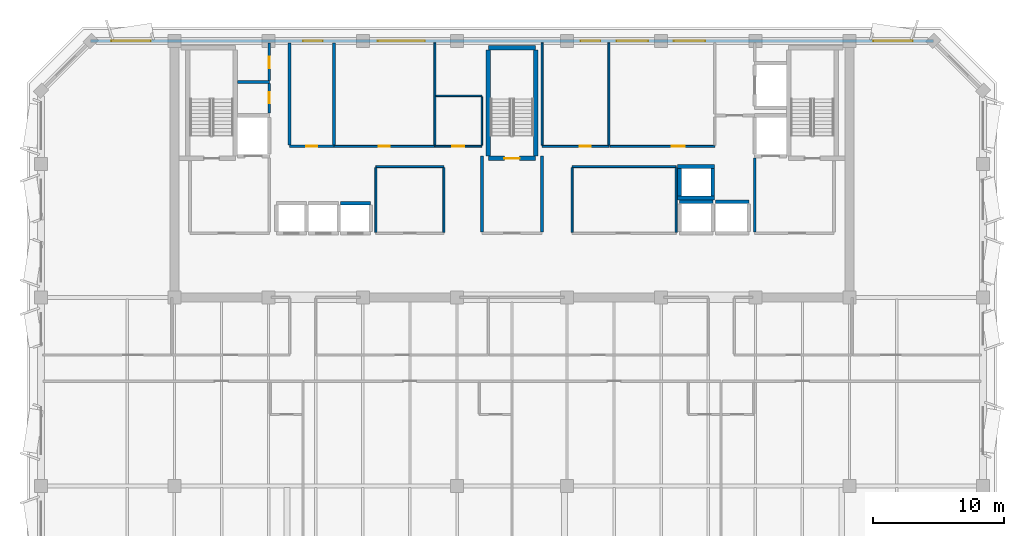
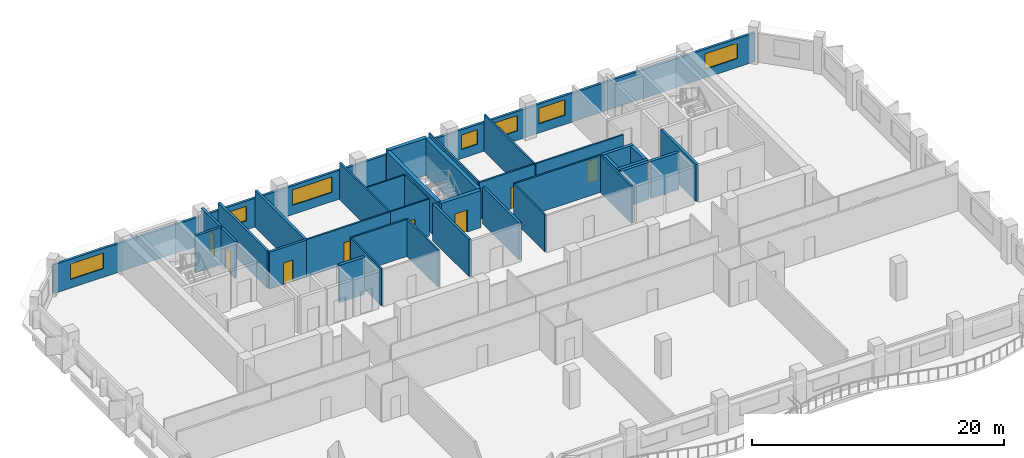
# One storey, part 6 of 11: 36 walls, 8 doors, 7 windows, 15 openings.
"""IFC4 building model written with IfcOpenShell, lengths in metres."""

import ifcopenshell
import ifcopenshell.guid

model = None  # the IFC model being written
_history = None  # IfcOwnerHistory: only IFC2X3 demands one
_inside = {}  # id of a spatial element -> (the spatial element, [elements in it])
_under = {}  # id of a project, library or spatial element -> (it, [spatial elements below it])
_declared = {}  # id of a project -> (the project, [libraries it declares])
_typed = {}  # id of a type object -> (the type object, [elements of that type])
_made_of = {}  # id of a material, layer set ... -> (it, [elements and type objects made of it])


def new_model(schema):
    """Start an empty IFC model of exactly this schema.

    Asked for "IFC4X3", IfcOpenShell would pick the latest addendum, in which some entities
    have other attributes; the version numbers below select the first issue.
    IFC2X3 requires an IfcOwnerHistory on every rooted entity: one is made here for all.
    """
    global model, _history
    if schema == "IFC4X3":
        model = ifcopenshell.file(schema_version=(4, 3, 0, 0))
    else:
        model = ifcopenshell.file(schema=schema)
    _inside.clear()
    _under.clear()
    _declared.clear()
    _typed.clear()
    _made_of.clear()
    _history = None
    if model.schema == "IFC2X3":
        org = make("IfcOrganization", Name="unknown")
        user = make(
            "IfcPersonAndOrganization",
            ThePerson=make("IfcPerson", FamilyName="unknown"),
            TheOrganization=org,
        )
        app = make(
            "IfcApplication",
            ApplicationDeveloper=org,
            Version="unknown",
            ApplicationFullName="unknown",
            ApplicationIdentifier="unknown",
        )
        _history = make(
            "IfcOwnerHistory",
            OwningUser=user,
            OwningApplication=app,
            ChangeAction="ADDED",
            CreationDate=0,
        )
    return model


def make(cls, **values):
    """One entity of the class cls with the attributes given. An attribute that is None is left unset."""
    return model.create_entity(
        cls, **{name: value for name, value in values.items() if value is not None}
    )


def rooted(cls, **values):
    """An entity with a GlobalId (a new one), such as an element, a storey or a relation."""
    return make(cls, GlobalId=ifcopenshell.guid.new(), OwnerHistory=_history, **values)


def si_unit(unit_type, name, prefix=None):
    """IfcSIUnit, for example si_unit("LENGTHUNIT", "METRE", prefix="MILLI")."""
    return make("IfcSIUnit", UnitType=unit_type, Prefix=prefix, Name=name)


def assignment(units):
    """IfcUnitAssignment: the units of a project."""
    return None if units is None else make("IfcUnitAssignment", Units=units)


def point(xyz):
    """IfcCartesianPoint."""
    return None if xyz is None else make("IfcCartesianPoint", Coordinates=xyz)


def direction(xyz):
    """IfcDirection."""
    return None if xyz is None else make("IfcDirection", DirectionRatios=xyz)


def frame(location, z_axis=None, x_axis=None):
    """IfcAxis2Placement3D, a coordinate frame: its origin and axes. An axis left out is left unset."""
    return make(
        "IfcAxis2Placement3D",
        Location=point(location),
        Axis=direction(z_axis),
        RefDirection=direction(x_axis),
    )


def frame_2d(location, x_axis=None):
    """IfcAxis2Placement2D, a coordinate frame in the plane: its origin and x axis."""
    return make(
        "IfcAxis2Placement2D", Location=point(location), RefDirection=direction(x_axis)
    )


def origin():
    """The frame at (0, 0, 0) with its axes left unset."""
    return frame((0.0, 0.0, 0.0))


def place(relative_to, where):
    """IfcLocalPlacement: puts the frame where relative to a parent placement (None: the world)."""
    return make(
        "IfcLocalPlacement", PlacementRelTo=relative_to, RelativePlacement=where
    )


def context(
    kind, dimensions, precision=None, world=None, true_north=None, identifier=None
):
    """IfcGeometricRepresentationContext, for example the 3D "Model" context."""
    return make(
        "IfcGeometricRepresentationContext",
        ContextIdentifier=identifier,
        ContextType=kind,
        CoordinateSpaceDimension=dimensions,
        Precision=precision,
        WorldCoordinateSystem=world,
        TrueNorth=true_north,
    )


def subcontext(parent, identifier, kind, view, scale=None):
    """IfcGeometricRepresentationSubContext, for example "Body" below "Model"."""
    return make(
        "IfcGeometricRepresentationSubContext",
        ContextIdentifier=identifier,
        ContextType=kind,
        ParentContext=parent,
        TargetScale=scale,
        TargetView=view,
    )


def project(units=None, contexts=None):
    """IfcProject with its units and contexts."""
    return rooted(
        "IfcProject",
        Name="project",
        RepresentationContexts=contexts,
        UnitsInContext=assignment(units),
    )


def spatial(cls, under=None, at=None, **own):
    """A site, building, storey or space (cls), placed at a placement, below another one or the project."""
    s = rooted(cls, ObjectPlacement=at, **own)
    if under is not None:
        _under.setdefault(under.id(), (under, []))[1].append(s)
    return s


def profile(cls, at=None, kind="AREA", **sizes):
    """A parametric profile (cls). Its sizes go by their IFC names, for example OverallWidth=200.0."""
    return make(cls, ProfileType=kind, Position=at, **sizes)


def rectangle(**sizes):
    """IfcRectangleProfileDef."""
    return profile("IfcRectangleProfileDef", **sizes)


def extrude(swept, where, along, depth):
    """IfcExtrudedAreaSolid: the profile swept, set in the frame where, extruded along a direction by depth."""
    return make(
        "IfcExtrudedAreaSolid",
        SweptArea=swept,
        Position=where,
        ExtrudedDirection=direction(along),
        Depth=depth,
    )


def shape(context_of_items, identifier, shape_type, items):
    """IfcShapeRepresentation: the items that make up one representation, for example the "Body"."""
    return make(
        "IfcShapeRepresentation",
        ContextOfItems=context_of_items,
        RepresentationIdentifier=identifier,
        RepresentationType=shape_type,
        Items=items,
    )


def material(Name=None, Category=None):
    """IfcMaterial."""
    return make("IfcMaterial", Name=Name, Category=Category)


def layer(
    of_material, thickness, ventilated=None, Name=None, Category=None, Priority=None
):
    """IfcMaterialLayer: one layer of a wall or slab, of a material (None: an air gap)."""
    return make(
        "IfcMaterialLayer",
        Material=of_material,
        LayerThickness=thickness,
        IsVentilated=ventilated,
        Name=Name,
        Category=Category,
        Priority=Priority,
    )


def layer_set(layers, Name=None):
    """IfcMaterialLayerSet."""
    return make("IfcMaterialLayerSet", MaterialLayers=layers, LayerSetName=Name)


def made_of(thing, what):
    """Note that an element or type object is made of a material, layer set ...; save() writes the relation."""
    if what is not None:
        _made_of.setdefault(what.id(), (what, []))[1].append(thing)
    return thing


def type_object(cls, material=None, **own):
    """A type object (cls), such as IfcWallType, which elements share."""
    return made_of(rooted(cls, **own), material)


def element(
    cls,
    number,
    at=None,
    inside=None,
    cuts=None,
    type_object=None,
    material=None,
    context=None,
    identifier="Body",
    shape_type=None,
    held_by="IfcProductDefinitionShape",
    body=None,
    shapes=None,
    **own,
):
    """One element of the class cls, such as IfcWall. Its Tag is "e" and its number.

    at: its placement. inside: the storey or other place that contains it. cuts: it is an
    opening in that element (IfcRelVoidsElement). A single representation is given by context,
    identifier, shape_type and body (its items); several are given by shapes. held_by: the class
    of the entity that holds the representations. save() writes the other relations.
    """
    e = rooted(cls, Tag="e%d" % number, ObjectPlacement=at, **own)
    if body is not None:
        shapes = [shape(context, identifier, shape_type, body)]
    if shapes is not None:
        e.Representation = make(held_by, Representations=shapes)
    if inside is not None:
        _inside.setdefault(inside.id(), (inside, []))[1].append(e)
    if cuts is not None:
        rooted(
            "IfcRelVoidsElement", RelatingBuildingElement=cuts, RelatedOpeningElement=e
        )
    if type_object is not None:
        _typed.setdefault(type_object.id(), (type_object, []))[1].append(e)
    return made_of(e, material)


def fill(opening, filler):
    """IfcRelFillsElement: the door or window that sits in an opening."""
    return rooted(
        "IfcRelFillsElement",
        RelatingOpeningElement=opening,
        RelatedBuildingElement=filler,
    )


def aggregate(whole, parts):
    """IfcRelAggregates: a whole, such as a stair, and the parts it consists of."""
    return rooted("IfcRelAggregates", RelatingObject=whole, RelatedObjects=parts)


def save(model, path):
    """Write the relations noted so far, then the file.

    IfcRelAggregates (storeys below a building ...), IfcRelContainedInSpatialStructure (elements
    in a storey), IfcRelDefinesByType, IfcRelAssociatesMaterial and IfcRelDeclares: one each for
    every whole, place, type object, material and project.
    """
    for whole, parts in _under.values():
        aggregate(whole, parts)
    for where, things in _inside.values():
        rooted(
            "IfcRelContainedInSpatialStructure",
            RelatedElements=things,
            RelatingStructure=where,
        )
    for kind, things in _typed.values():
        rooted("IfcRelDefinesByType", RelatedObjects=things, RelatingType=kind)
    for what, things in _made_of.values():
        rooted("IfcRelAssociatesMaterial", RelatedObjects=things, RelatingMaterial=what)
    for by, libraries in _declared.values():
        rooted("IfcRelDeclares", RelatingContext=by, RelatedDefinitions=libraries)
    model.write(path)


model = new_model("IFC4")

# Units and contexts
model_context = context("Model", 3, precision=1e-05, world=origin(), true_north=direction((0.0, 1.0)))
body_context = subcontext(model_context, "Body", "Model", "MODEL_VIEW")
ifc_project = project(units=[si_unit("LENGTHUNIT", "METRE"), si_unit("AREAUNIT", "SQUARE_METRE"), si_unit("VOLUMEUNIT", "CUBIC_METRE"), si_unit("PLANEANGLEUNIT", "RADIAN"), si_unit("MASSUNIT", "GRAM", prefix="KILO")], contexts=[model_context])

# Site, building, storey
site_placement = place(None, origin())
site = spatial("IfcSite", under=ifc_project, at=site_placement, CompositionType="ELEMENT")
building_placement = place(site_placement, origin())
building = spatial("IfcBuilding", under=site, at=building_placement, Name="Kaelvorn Grand Hotel", CompositionType="ELEMENT")
storey_placement = place(building_placement, frame((0.0, 0.0, 276.550048828125)))
storey = spatial("IfcBuildingStorey", under=building, at=storey_placement, Name="L68", CompositionType="ELEMENT", Elevation=276.550048828125)

# Wall, openings, windows
ifc_material_1 = material(Name="Concrete C40/50", Category="concrete")
ifc_layer_1 = layer(ifc_material_1, 0.219970703125)
ifc_layer_set_1 = layer_set([ifc_layer_1], Name="Concrete C40/50")
wall_type_1 = type_object("IfcWallType", Name="WL-EXT-220-C40", PredefinedType="SOLIDWALL", material=ifc_layer_set_1)
wall_1_placement = place(storey_placement, frame((74.199951171875, 49.0, 0.0), z_axis=(0.0, 0.0, 1.0), x_axis=(-1.0, 0.0, 0.0)))
wall_1 = element("IfcWall", 1, at=wall_1_placement, inside=storey, type_object=wall_type_1, Name="L68 Exterior Architectural Concrete Wall 05", PredefinedType="SOLIDWALL", context=body_context, shape_type="SweptSolid", body=[
    extrude(rectangle(XDim=64.39990234375, YDim=0.219970703125, at=frame_2d((32.199951171875, 0.0))), origin(), (0.0, 0.0, 1.0), 2.800048828125),
])
opening_1_placement = place(wall_1_placement, frame((59.81494140625, 0.0, 0.85009765625)))
opening_1 = element("IfcOpeningElement", 2, at=opening_1_placement, cuts=wall_1, Name="Opening W5", PredefinedType="OPENING", context=body_context, shape_type="SweptSolid", body=[
    extrude(rectangle(XDim=3.0, YDim=1.5, at=frame_2d((1.5, 0.75))), frame((0.0, 0.1201171875, 0.0), z_axis=(0.0, -1.0, 0.0), x_axis=(1.0, 0.0, 0.0)), (0.0, 0.0, 1.0), 0.239990234375),
])
opening_2_placement = place(wall_1_placement, frame((1.5849609375, 0.0, 0.85009765625)))
opening_2 = element("IfcOpeningElement", 3, at=opening_2_placement, cuts=wall_1, Name="Opening W5", PredefinedType="OPENING", context=body_context, shape_type="SweptSolid", body=[
    extrude(rectangle(XDim=3.0, YDim=1.5, at=frame_2d((1.5, 0.75))), frame((0.0, 0.1201171875, 0.0), z_axis=(0.0, -1.0, 0.0), x_axis=(1.0, 0.0, 0.0)), (0.0, 0.0, 1.0), 0.239990234375),
])
opening_3_placement = place(wall_1_placement, frame((46.6650390625, 0.0, 0.89990234375)))
opening_3 = element("IfcOpeningElement", 4, at=opening_3_placement, cuts=wall_1, Name="Opening W10", PredefinedType="OPENING", context=body_context, shape_type="SweptSolid", body=[
    extrude(rectangle(XDim=1.5, YDim=1.39990234375, at=frame_2d((0.75, 0.699951171875))), frame((0.0, 0.1201171875, 0.0), z_axis=(0.0, -1.0, 0.0), x_axis=(1.0, 0.0, 0.0)), (0.0, 0.0, 1.0), 0.239990234375),
])
opening_4_placement = place(wall_1_placement, frame((38.85009765625, 0.0, 0.89990234375)))
opening_4 = element("IfcOpeningElement", 5, at=opening_4_placement, cuts=wall_1, Name="Opening W3", PredefinedType="OPENING", context=body_context, shape_type="SweptSolid", body=[
    extrude(rectangle(XDim=3.60009765625, YDim=1.5, at=frame_2d((1.800048828125, 0.75))), frame((0.0, 0.1201171875, 0.0), z_axis=(0.0, -1.0, 0.0), x_axis=(1.0, 0.0, 0.0)), (0.0, 0.0, 1.0), 0.239990234375),
])
opening_5_placement = place(wall_1_placement, frame((25.449951171875, 0.0, 0.89990234375)))
opening_5 = element("IfcOpeningElement", 6, at=opening_5_placement, cuts=wall_1, Name="Opening W10", PredefinedType="OPENING", context=body_context, shape_type="SweptSolid", body=[
    extrude(rectangle(XDim=1.5, YDim=1.39990234375, at=frame_2d((0.75, 0.699951171875))), frame((0.0, 0.1201171875, 0.0), z_axis=(0.0, -1.0, 0.0), x_axis=(1.0, 0.0, 0.0)), (0.0, 0.0, 1.0), 0.239990234375),
])
opening_6_placement = place(wall_1_placement, frame((21.800048828125, 0.0, 0.89990234375)))
opening_6 = element("IfcOpeningElement", 7, at=opening_6_placement, cuts=wall_1, Name="Opening W6", PredefinedType="OPENING", context=body_context, shape_type="SweptSolid", body=[
    extrude(rectangle(XDim=2.39990234375, YDim=1.5, at=frame_2d((1.199951171875, 0.75))), frame((0.0, 0.1201171875, 0.0), z_axis=(0.0, -1.0, 0.0), x_axis=(1.0, 0.0, 0.0)), (0.0, 0.0, 1.0), 0.239990234375),
])
opening_7_placement = place(wall_1_placement, frame((17.43505859375, 0.0, 0.89990234375)))
opening_7 = element("IfcOpeningElement", 8, at=opening_7_placement, cuts=wall_1, Name="Opening W6", PredefinedType="OPENING", context=body_context, shape_type="SweptSolid", body=[
    extrude(rectangle(XDim=2.39990234375, YDim=1.5, at=frame_2d((1.199951171875, 0.75))), frame((0.0, 0.1201171875, 0.0), z_axis=(0.0, -1.0, 0.0), x_axis=(1.0, 0.0, 0.0)), (0.0, 0.0, 1.0), 0.239990234375),
])
ifc_material_2 = material(Name="Laminated Low-E Glass", Category="glass")
window_type_1 = type_object("IfcWindowType", Name="WIN-COR-1500x1400", PartitioningType="SINGLE_PANEL", PredefinedType="WINDOW", material=ifc_material_2)
window_1_placement = place(opening_3_placement, origin())
window_1 = element("IfcWindow", 9, at=window_1_placement, inside=storey, type_object=window_type_1, Name="L68 North Core Clerestory Ribbon Window NC03", OverallHeight=1.39990234375, OverallWidth=1.5, PartitioningType="SINGLE_PANEL", PredefinedType="WINDOW", context=body_context, shape_type="SweptSolid", body=[
    extrude(rectangle(XDim=1.5, YDim=1.39990234375, at=frame_2d((0.75, 0.699951171875))), frame((0.0, 0.030029296875, 0.0), z_axis=(0.0, -1.0, 0.0), x_axis=(1.0, 0.0, 0.0)), (0.0, 0.0, 1.0), 0.06005859375),
])
fill(opening_3, window_1)
window_2_placement = place(opening_5_placement, origin())
window_2 = element("IfcWindow", 10, at=window_2_placement, inside=storey, type_object=window_type_1, Name="L68 North Core Clerestory Ribbon Window NC05", OverallHeight=1.39990234375, OverallWidth=1.5, PartitioningType="SINGLE_PANEL", PredefinedType="WINDOW", context=body_context, shape_type="SweptSolid", body=[
    extrude(rectangle(XDim=1.5, YDim=1.39990234375, at=frame_2d((0.75, 0.699951171875))), frame((0.0, 0.030029296875, 0.0), z_axis=(0.0, -1.0, 0.0), x_axis=(1.0, 0.0, 0.0)), (0.0, 0.0, 1.0), 0.06005859375),
])
fill(opening_5, window_2)
window_type_2 = type_object("IfcWindowType", Name="WIN-NTH-2400x1500", PartitioningType="SINGLE_PANEL", PredefinedType="WINDOW", material=ifc_material_2)
window_3_placement = place(opening_6_placement, origin())
window_3 = element("IfcWindow", 11, at=window_3_placement, inside=storey, type_object=window_type_2, Name="L68 North Core Clerestory Ribbon Window NC06", OverallHeight=1.5, OverallWidth=2.39990234375, PartitioningType="SINGLE_PANEL", PredefinedType="WINDOW", context=body_context, shape_type="SweptSolid", body=[
    extrude(rectangle(XDim=2.39990234375, YDim=1.5, at=frame_2d((1.199951171875, 0.75))), frame((0.0, 0.030029296875, 0.0), z_axis=(0.0, -1.0, 0.0), x_axis=(1.0, 0.0, 0.0)), (0.0, 0.0, 1.0), 0.06005859375),
])
fill(opening_6, window_3)
window_4_placement = place(opening_7_placement, origin())
window_4 = element("IfcWindow", 12, at=window_4_placement, inside=storey, type_object=window_type_2, Name="L68 North Core Clerestory Ribbon Window NC07", OverallHeight=1.5, OverallWidth=2.39990234375, PartitioningType="SINGLE_PANEL", PredefinedType="WINDOW", context=body_context, shape_type="SweptSolid", body=[
    extrude(rectangle(XDim=2.39990234375, YDim=1.5, at=frame_2d((1.199951171875, 0.75))), frame((0.0, 0.030029296875, 0.0), z_axis=(0.0, -1.0, 0.0), x_axis=(1.0, 0.0, 0.0)), (0.0, 0.0, 1.0), 0.06005859375),
])
fill(opening_7, window_4)
window_type_3 = type_object("IfcWindowType", Name="WIN-NTH-3000x1500", PartitioningType="SINGLE_PANEL", PredefinedType="WINDOW", material=ifc_material_2)
window_5_placement = place(opening_1_placement, origin())
window_5 = element("IfcWindow", 13, at=window_5_placement, inside=storey, type_object=window_type_3, Name="L68 North Wing Ribbon Window NW01", OverallHeight=1.5, OverallWidth=3.0, PartitioningType="SINGLE_PANEL", PredefinedType="WINDOW", context=body_context, shape_type="SweptSolid", body=[
    extrude(rectangle(XDim=3.0, YDim=1.5, at=frame_2d((1.5, 0.75))), frame((0.0, 0.030029296875, 0.0), z_axis=(0.0, -1.0, 0.0), x_axis=(1.0, 0.0, 0.0)), (0.0, 0.0, 1.0), 0.06005859375),
])
fill(opening_1, window_5)
window_6_placement = place(opening_2_placement, origin())
window_6 = element("IfcWindow", 14, at=window_6_placement, inside=storey, type_object=window_type_3, Name="L68 North Wing Ribbon Window NW02", OverallHeight=1.5, OverallWidth=3.0, PartitioningType="SINGLE_PANEL", PredefinedType="WINDOW", context=body_context, shape_type="SweptSolid", body=[
    extrude(rectangle(XDim=3.0, YDim=1.5, at=frame_2d((1.5, 0.75))), frame((0.0, 0.030029296875, 0.0), z_axis=(0.0, -1.0, 0.0), x_axis=(1.0, 0.0, 0.0)), (0.0, 0.0, 1.0), 0.06005859375),
])
fill(opening_2, window_6)
window_type_4 = type_object("IfcWindowType", Name="WIN-RIB-3600x1750", PartitioningType="SINGLE_PANEL", PredefinedType="WINDOW", material=ifc_material_2)
window_7_placement = place(opening_4_placement, origin())
window_7 = element("IfcWindow", 15, at=window_7_placement, inside=storey, type_object=window_type_4, Name="L68 North Core Clerestory Ribbon Window NC04", OverallHeight=1.5, OverallWidth=3.60009765625, PartitioningType="SINGLE_PANEL", PredefinedType="WINDOW", context=body_context, shape_type="SweptSolid", body=[
    extrude(rectangle(XDim=3.60009765625, YDim=1.5, at=frame_2d((1.800048828125, 0.75))), frame((0.0, 0.030029296875, 0.0), z_axis=(0.0, -1.0, 0.0), x_axis=(1.0, 0.0, 0.0)), (0.0, 0.0, 1.0), 0.06005859375),
])
fill(opening_4, window_7)

# Wall, opening, door
ifc_material_3 = material(Name="Moisture-Resistant Tile & Stud Board")
ifc_layer_2 = layer(ifc_material_3, 0.125)
ifc_layer_set_2 = layer_set([ifc_layer_2], Name="Moisture-Resistant Tile & Stud Board")
wall_type_2 = type_object("IfcWallType", Name="WL-PART-125-WET", PredefinedType="PARTITIONING", material=ifc_layer_set_2)
wall_2_placement = place(storey_placement, frame((36.110107421875, 40.949951171875, 0.0), z_axis=(0.0, 0.0, 1.0), x_axis=(1.0, 0.0, 0.0)))
wall_2 = element("IfcWall", 16, at=wall_2_placement, inside=storey, type_object=wall_type_2, Name="L68 Accessible WC S Partition", PredefinedType="PARTITIONING", context=body_context, shape_type="SweptSolid", body=[
    extrude(rectangle(XDim=3.58984375, YDim=0.125, at=frame_2d((1.794921875, 0.0))), origin(), (0.0, 0.0, 1.0), 3.599853515625),
])
opening_8_placement = place(wall_2_placement, frame((1.340087890625, 0.0, 0.0)))
opening_8 = element("IfcOpeningElement", 17, at=opening_8_placement, cuts=wall_2, Name="Opening DI4", PredefinedType="OPENING", context=body_context, shape_type="SweptSolid", body=[
    extrude(rectangle(XDim=0.89990234375, YDim=2.10009765625, at=frame_2d((0.449951171875, 1.050048828125))), frame((0.0, 0.072509765625, 0.0), z_axis=(0.0, -1.0, 0.0), x_axis=(1.0, 0.0, 0.0)), (0.0, 0.0, 1.0), 0.14501953125),
])
ifc_material_4 = material(Name="Timber Veneer Leaf", Category="wood")
door_type_1 = type_object("IfcDoorType", Name="DR-INT-BATH-900x2100", OperationType="NOTDEFINED", PredefinedType="DOOR", material=ifc_material_4)
door_1_placement = place(opening_8_placement, origin())
door_1 = element("IfcDoor", 18, at=door_1_placement, inside=storey, type_object=door_type_1, Name="L68 Accessible WC Door", OperationType="SINGLE_SWING_LEFT", OverallHeight=2.10009765625, OverallWidth=0.89990234375, PredefinedType="DOOR", context=body_context, shape_type="SweptSolid", body=[
    extrude(rectangle(XDim=0.89990234375, YDim=2.10009765625, at=frame_2d((0.449951171875, 1.050048828125))), frame((0.0, 0.02490234375, 0.0), z_axis=(0.0, -1.0, 0.0), x_axis=(1.0, 0.0, 0.0)), (0.0, 0.0, 1.0), 0.050048828125),
])
fill(opening_8, door_1)

# Walls
wall_3_placement = place(storey_placement, frame((36.179931640625, 44.800048828125, 0.0), z_axis=(0.0, 0.0, 1.0), x_axis=(1.0, 0.0, 0.0)))
element("IfcWall", 19, at=wall_3_placement, inside=storey, type_object=wall_type_2, Name="L68 Accessible WC N Partition", PredefinedType="PARTITIONING", context=body_context, shape_type="SweptSolid", body=[
    extrude(rectangle(XDim=3.52001953125, YDim=0.125, at=frame_2d((1.760009765625, 0.0))), origin(), (0.0, 0.0, 1.0), 3.599853515625),
])
wall_4_placement = place(storey_placement, frame((39.699951171875, 41.017578125, 0.0), z_axis=(0.0, 0.0, 1.0), x_axis=(0.0, 1.0, 0.0)))
element("IfcWall", 20, at=wall_4_placement, inside=storey, type_object=wall_type_2, Name="L68 Accessible WC E Partition", PredefinedType="PARTITIONING", context=body_context, shape_type="SweptSolid", body=[
    extrude(rectangle(XDim=3.71484375, YDim=0.125, at=frame_2d((1.857421875, 0.0))), origin(), (0.0, 0.0, 1.0), 3.599853515625),
])
ifc_material_5 = material(Name="Acoustic Gypsum & Stud Partition")
ifc_layer_3 = layer(ifc_material_5, 0.14990234375)
ifc_layer_set_3 = layer_set([ifc_layer_3], Name="Acoustic Gypsum & Stud Partition")
wall_type_3 = type_object("IfcWallType", Name="WL-PART-150-EI60", PredefinedType="PARTITIONING", material=ifc_layer_set_3)
wall_5_placement = place(storey_placement, frame((31.60009765625, 39.39990234375, 0.0), z_axis=(0.0, 0.0, 1.0), x_axis=(1.0, 0.0, 0.0)))
element("IfcWall", 21, at=wall_5_placement, inside=storey, type_object=wall_type_3, Name="L68 Core Telecoms & BMS Server Room N Partition", PredefinedType="PARTITIONING", context=body_context, shape_type="SweptSolid", body=[
    extrude(rectangle(XDim=5.199951171875, YDim=0.14990234375, at=frame_2d((2.60009765625, 0.0))), origin(), (0.0, 0.0, 1.0), 3.599853515625),
])
for number, where, z_axis, x_axis, name in (
    (22, (31.60009765625, 34.3798828125, 0.0), (0.0, 0.0, 1.0), (0.0, 1.0, 0.0), "L68 Core Telecoms & BMS Server Room W Partition"),
    (23, (36.800048828125, 34.3798828125, 0.0), (0.0, 0.0, 1.0), (0.0, 1.0, 0.0), "L68 Core Telecoms & BMS Server Room E Partition"),
):
    element("IfcWall", number, at=place(storey_placement, frame(where, z_axis=z_axis, x_axis=x_axis)), inside=storey, type_object=wall_type_3, Name=name, PredefinedType="PARTITIONING", context=body_context, shape_type="SweptSolid", body=[
        extrude(rectangle(XDim=4.940185546875, YDim=0.14990234375, at=frame_2d((2.47021484375, 0.0))), origin(), (0.0, 0.0, 1.0), 3.599853515625),
    ])
wall_6_placement = place(storey_placement, frame((46.60009765625, 39.39990234375, 0.0), z_axis=(0.0, 0.0, 1.0), x_axis=(1.0, 0.0, 0.0)))
element("IfcWall", 24, at=wall_6_placement, inside=storey, type_object=wall_type_3, Name="L68 Sky Concierge & Butler Pantry Lounge N Partition", PredefinedType="PARTITIONING", context=body_context, shape_type="SweptSolid", body=[
    extrude(rectangle(XDim=7.949951171875, YDim=0.14990234375, at=frame_2d((3.97509765625, 0.0))), origin(), (0.0, 0.0, 1.0), 3.599853515625),
])
for number, where, z_axis, x_axis, name in (
    (25, (46.60009765625, 34.3798828125, 0.0), (0.0, 0.0, 1.0), (0.0, 1.0, 0.0), "L68 Sky Concierge & Butler Pantry Lounge W Partition"),
    (26, (54.550048828125, 34.3798828125, 0.0), (0.0, 0.0, 1.0), (0.0, 1.0, 0.0), "L68 Sky Concierge & Butler Pantry Lounge E Partition"),
):
    element("IfcWall", number, at=place(storey_placement, frame(where, z_axis=z_axis, x_axis=x_axis)), inside=storey, type_object=wall_type_3, Name=name, PredefinedType="PARTITIONING", context=body_context, shape_type="SweptSolid", body=[
        extrude(rectangle(XDim=4.940185546875, YDim=0.14990234375, at=frame_2d((2.47021484375, 0.0))), origin(), (0.0, 0.0, 1.0), 3.599853515625),
    ])

# Wall, opening, door
wall_7_placement = place(storey_placement, frame((28.409912109375, 40.949951171875, 0.0), z_axis=(0.0, 0.0, 1.0), x_axis=(1.0, 0.0, 0.0)))
wall_7 = element("IfcWall", 27, at=wall_7_placement, inside=storey, type_object=wall_type_3, Name="L68 Housekeeping & Linen Room S Partition", PredefinedType="PARTITIONING", context=body_context, shape_type="SweptSolid", body=[
    extrude(rectangle(XDim=7.690185546875, YDim=0.14990234375, at=frame_2d((3.84521484375, 0.0))), origin(), (0.0, 0.0, 1.0), 3.599853515625),
])
opening_9_placement = place(wall_7_placement, frame((3.4150390625, 0.0, 0.0)))
opening_9 = element("IfcOpeningElement", 28, at=opening_9_placement, cuts=wall_7, Name="Opening DI7", PredefinedType="OPENING", context=body_context, shape_type="SweptSolid", body=[
    extrude(rectangle(XDim=0.85009765625, YDim=2.10009765625, at=frame_2d((0.425048828125, 1.050048828125))), frame((0.0, 0.0849609375, 0.0), z_axis=(0.0, -1.0, 0.0), x_axis=(1.0, 0.0, 0.0)), (0.0, 0.0, 1.0), 0.169921875),
])
ifc_material_6 = material(Name="Powder-Coated Steel Leaf", Category="steel")
door_type_2 = type_object("IfcDoorType", Name="DR-INT-RISER-850x2100", OperationType="NOTDEFINED", PredefinedType="DOOR", material=ifc_material_6)
door_2_placement = place(opening_9_placement, origin())
door_2 = element("IfcDoor", 29, at=door_2_placement, inside=storey, type_object=door_type_2, Name="L68 Housekeeping & Linen Room Door", OperationType="SINGLE_SWING_RIGHT", OverallHeight=2.10009765625, OverallWidth=0.85009765625, PredefinedType="DOOR", context=body_context, shape_type="SweptSolid", body=[
    extrude(rectangle(XDim=0.85009765625, YDim=2.10009765625, at=frame_2d((0.425048828125, 1.050048828125))), frame((0.0, 0.02490234375, 0.0), z_axis=(0.0, -1.0, 0.0), x_axis=(1.0, 0.0, 0.0)), (0.0, 0.0, 1.0), 0.050048828125),
])
fill(opening_9, door_2)

# Wall
wall_8_placement = place(storey_placement, frame((36.10009765625, 41.030029296875, 0.0), z_axis=(0.0, 0.0, 1.0), x_axis=(0.0, 1.0, 0.0)))
element("IfcWall", 30, at=wall_8_placement, inside=storey, type_object=wall_type_3, Name="L68 Housekeeping & Linen Room E Partition", PredefinedType="PARTITIONING", context=body_context, shape_type="SweptSolid", body=[
    extrude(rectangle(XDim=7.820068359375, YDim=0.14990234375, at=frame_2d((3.91015625, 0.0))), origin(), (0.0, 0.0, 1.0), 3.599853515625),
])

# Wall, opening, door
wall_9_placement = place(storey_placement, frame((44.300048828125, 40.949951171875, 0.0), z_axis=(0.0, 0.0, 1.0), x_axis=(1.0, 0.0, 0.0)))
wall_9 = element("IfcWall", 31, at=wall_9_placement, inside=storey, type_object=wall_type_3, Name="L68 Laundry Chute Vestibule S Partition", PredefinedType="PARTITIONING", context=body_context, shape_type="SweptSolid", body=[
    extrude(rectangle(XDim=5.099853515625, YDim=0.14990234375, at=frame_2d((2.5498046875, 0.0))), origin(), (0.0, 0.0, 1.0), 3.599853515625),
])
opening_10_placement = place(wall_9_placement, frame((2.875, 0.0, 0.0)))
opening_10 = element("IfcOpeningElement", 32, at=opening_10_placement, cuts=wall_9, Name="Opening DI7", PredefinedType="OPENING", context=body_context, shape_type="SweptSolid", body=[
    extrude(rectangle(XDim=0.85009765625, YDim=2.10009765625, at=frame_2d((0.425048828125, 1.050048828125))), frame((0.0, 0.0849609375, 0.0), z_axis=(0.0, -1.0, 0.0), x_axis=(1.0, 0.0, 0.0)), (0.0, 0.0, 1.0), 0.169921875),
])
door_3_placement = place(opening_10_placement, origin())
door_3 = element("IfcDoor", 33, at=door_3_placement, inside=storey, type_object=door_type_2, Name="L68 Laundry Chute Vestibule Door", OperationType="SINGLE_SWING_RIGHT", OverallHeight=2.10009765625, OverallWidth=0.85009765625, PredefinedType="DOOR", context=body_context, shape_type="SweptSolid", body=[
    extrude(rectangle(XDim=0.85009765625, YDim=2.10009765625, at=frame_2d((0.425048828125, 1.050048828125))), frame((0.0, 0.02490234375, 0.0), z_axis=(0.0, -1.0, 0.0), x_axis=(1.0, 0.0, 0.0)), (0.0, 0.0, 1.0), 0.050048828125),
])
fill(opening_10, door_3)

# Walls
for number, where, z_axis, x_axis, name in (
    (34, (44.300048828125, 41.030029296875, 0.0), (0.0, 0.0, 1.0), (0.0, 1.0, 0.0), "L68 Laundry Chute Vestibule W Partition"),
    (35, (49.39990234375, 41.030029296875, 0.0), (0.0, 0.0, 1.0), (0.0, 1.0, 0.0), "L68 Laundry Chute Vestibule E Partition"),
):
    element("IfcWall", number, at=place(storey_placement, frame(where, z_axis=z_axis, x_axis=x_axis)), inside=storey, type_object=wall_type_3, Name=name, PredefinedType="PARTITIONING", context=body_context, shape_type="SweptSolid", body=[
        extrude(rectangle(XDim=7.820068359375, YDim=0.14990234375, at=frame_2d((3.91015625, 0.0))), origin(), (0.0, 0.0, 1.0), 3.599853515625),
    ])

# Wall, opening, door
wall_10_placement = place(storey_placement, frame((49.47998046875, 40.949951171875, 0.0), z_axis=(0.0, 0.0, 1.0), x_axis=(1.0, 0.0, 0.0)))
wall_10 = element("IfcWall", 36, at=wall_10_placement, inside=storey, type_object=wall_type_3, Name="L68 Butler Servery Pantry S Partition", PredefinedType="PARTITIONING", context=body_context, shape_type="SweptSolid", body=[
    extrude(rectangle(XDim=8.02001953125, YDim=0.14990234375, at=frame_2d((4.010009765625, 0.0))), origin(), (0.0, 0.0, 1.0), 3.599853515625),
])
opening_11_placement = place(wall_10_placement, frame((4.719970703125, 0.0, 0.0)))
opening_11 = element("IfcOpeningElement", 37, at=opening_11_placement, cuts=wall_10, Name="Opening DI3", PredefinedType="OPENING", context=body_context, shape_type="SweptSolid", body=[
    extrude(rectangle(XDim=1.0, YDim=2.14990234375, at=frame_2d((0.5, 1.074951171875))), frame((0.0, 0.0849609375, 0.0), z_axis=(0.0, -1.0, 0.0), x_axis=(1.0, 0.0, 0.0)), (0.0, 0.0, 1.0), 0.169921875),
])
ifc_material_7 = material(Name="Timber Veneer Fire Leaf", Category="wood")
door_type_3 = type_object("IfcDoorType", Name="DR-INT-GUEST-1000x2150", OperationType="NOTDEFINED", PredefinedType="DOOR", material=ifc_material_7)
door_4_placement = place(opening_11_placement, origin())
door_4 = element("IfcDoor", 38, at=door_4_placement, inside=storey, type_object=door_type_3, Name="L68 Butler Servery Pantry Door", OperationType="SINGLE_SWING_LEFT", OverallHeight=2.14990234375, OverallWidth=1.0, PredefinedType="DOOR", context=body_context, shape_type="SweptSolid", body=[
    extrude(rectangle(XDim=1.0, YDim=2.14990234375, at=frame_2d((0.5, 1.074951171875))), frame((0.0, 0.02490234375, 0.0), z_axis=(0.0, -1.0, 0.0), x_axis=(1.0, 0.0, 0.0)), (0.0, 0.0, 1.0), 0.050048828125),
])
fill(opening_11, door_4)

# Walls
ifc_layer_4 = layer(ifc_material_1, 0.219970703125)
ifc_layer_set_4 = layer_set([ifc_layer_4], Name="Concrete C40/50")
wall_type_4 = type_object("IfcWallType", Name="WL-PART-220-EI120", PredefinedType="PARTITIONING", material=ifc_layer_set_4)
wall_11_placement = place(storey_placement, frame((60.550048828125, 34.4150390625, 0.0), z_axis=(0.0, 0.0, 1.0), x_axis=(0.0, 1.0, 0.0)))
element("IfcWall", 39, at=wall_11_placement, inside=storey, type_object=wall_type_4, Name="L68 Firefighting Lift Lobby 2 W Partition", PredefinedType="PARTITIONING", context=body_context, shape_type="SweptSolid", body=[
    extrude(rectangle(XDim=5.639892578125, YDim=0.219970703125, at=frame_2d((2.81982421875, 0.0))), origin(), (0.0, 0.0, 1.0), 3.599853515625),
])
for number, where, z_axis, x_axis, name in (
    (40, (39.699951171875, 34.4150390625, 0.0), (0.0, 0.0, 1.0), (0.0, 1.0, 0.0), "L68 Central Stair Escape Vestibule W Partition"),
    (41, (44.300048828125, 34.4150390625, 0.0), (0.0, 0.0, 1.0), (0.0, 1.0, 0.0), "L68 Central Stair Escape Vestibule E Partition"),
):
    element("IfcWall", number, at=place(storey_placement, frame(where, z_axis=z_axis, x_axis=x_axis)), inside=storey, type_object=wall_type_4, Name=name, PredefinedType="PARTITIONING", context=body_context, shape_type="SweptSolid", body=[
        extrude(rectangle(XDim=5.784912109375, YDim=0.219970703125, at=frame_2d((2.892578125, 0.0))), origin(), (0.0, 0.0, 1.0), 3.599853515625),
    ])
wall_12_placement = place(storey_placement, frame((21.034912109375, 45.85009765625, 0.0), z_axis=(0.0, 0.0, 1.0), x_axis=(1.0, 0.0, 0.0)))
element("IfcWall", 42, at=wall_12_placement, inside=storey, type_object=wall_type_4, Name="L68 Wet Fire & Plumbing Riser Shaft N Partition", PredefinedType="PARTITIONING", context=body_context, shape_type="SweptSolid", body=[
    extrude(rectangle(XDim=2.4150390625, YDim=0.219970703125, at=frame_2d((1.20751953125, 0.0))), origin(), (0.0, 0.0, 1.0), 3.599853515625),
])

# Wall, opening, door
wall_13_placement = place(storey_placement, frame((23.449951171875, 43.5, 0.0), z_axis=(0.0, 0.0, 1.0), x_axis=(0.0, 1.0, 0.0)))
wall_13 = element("IfcWall", 43, at=wall_13_placement, inside=storey, type_object=wall_type_4, Name="L68 Wet Fire & Plumbing Riser Shaft E Partition", PredefinedType="PARTITIONING", context=body_context, shape_type="SweptSolid", body=[
    extrude(rectangle(XDim=2.235107421875, YDim=0.219970703125, at=frame_2d((1.11767578125, 0.0))), origin(), (0.0, 0.0, 1.0), 3.599853515625),
])
opening_12_placement = place(wall_13_placement, frame((0.72509765625, 0.0, 0.0)))
opening_12 = element("IfcOpeningElement", 44, at=opening_12_placement, cuts=wall_13, Name="Opening DI7", PredefinedType="OPENING", context=body_context, shape_type="SweptSolid", body=[
    extrude(rectangle(XDim=0.85009765625, YDim=2.10009765625, at=frame_2d((0.425048828125, 1.050048828125))), frame((0.0, 0.1201171875, 0.0), z_axis=(0.0, -1.0, 0.0), x_axis=(1.0, 0.0, 0.0)), (0.0, 0.0, 1.0), 0.239990234375),
])
door_5_placement = place(opening_12_placement, origin())
door_5 = element("IfcDoor", 45, at=door_5_placement, inside=storey, type_object=door_type_2, Name="L68 Wet Fire & Plumbing Riser Shaft Door", OperationType="SINGLE_SWING_LEFT", OverallHeight=2.10009765625, OverallWidth=0.85009765625, PredefinedType="DOOR", context=body_context, shape_type="SweptSolid", body=[
    extrude(rectangle(XDim=0.85009765625, YDim=2.10009765625, at=frame_2d((0.425048828125, 1.050048828125))), frame((0.0, 0.02490234375, 0.0), z_axis=(0.0, -1.0, 0.0), x_axis=(1.0, 0.0, 0.0)), (0.0, 0.0, 1.0), 0.050048828125),
])
fill(opening_12, door_5)

wall_14_placement = place(storey_placement, frame((23.449951171875, 45.965087890625, 0.0), z_axis=(0.0, 0.0, 1.0), x_axis=(0.0, 1.0, 0.0)))
wall_14 = element("IfcWall", 46, at=wall_14_placement, inside=storey, type_object=wall_type_4, Name="L68 HV Electrical & Smoke Riser E Partition", PredefinedType="PARTITIONING", context=body_context, shape_type="SweptSolid", body=[
    extrude(rectangle(XDim=2.885009765625, YDim=0.219970703125, at=frame_2d((1.4423828125, 0.0))), origin(), (0.0, 0.0, 1.0), 3.599853515625),
])
opening_13_placement = place(wall_14_placement, frame((0.9599609375, 0.0, 0.0)))
opening_13 = element("IfcOpeningElement", 47, at=opening_13_placement, cuts=wall_14, Name="Opening DI7", PredefinedType="OPENING", context=body_context, shape_type="SweptSolid", body=[
    extrude(rectangle(XDim=0.85009765625, YDim=2.10009765625, at=frame_2d((0.425048828125, 1.050048828125))), frame((0.0, 0.1201171875, 0.0), z_axis=(0.0, -1.0, 0.0), x_axis=(1.0, 0.0, 0.0)), (0.0, 0.0, 1.0), 0.239990234375),
])
door_6_placement = place(opening_13_placement, origin())
door_6 = element("IfcDoor", 48, at=door_6_placement, inside=storey, type_object=door_type_2, Name="L68 HV Electrical & Smoke Riser Door", OperationType="SINGLE_SWING_RIGHT", OverallHeight=2.10009765625, OverallWidth=0.85009765625, PredefinedType="DOOR", context=body_context, shape_type="SweptSolid", body=[
    extrude(rectangle(XDim=0.85009765625, YDim=2.10009765625, at=frame_2d((0.425048828125, 1.050048828125))), frame((0.0, 0.02490234375, 0.0), z_axis=(0.0, -1.0, 0.0), x_axis=(1.0, 0.0, 0.0)), (0.0, 0.0, 1.0), 0.050048828125),
])
fill(opening_13, door_6)

wall_15_placement = place(storey_placement, frame((25.0, 40.949951171875, 0.0), z_axis=(0.0, 0.0, 1.0), x_axis=(1.0, 0.0, 0.0)))
wall_15 = element("IfcWall", 49, at=wall_15_placement, inside=storey, type_object=wall_type_4, Name="L68 Electrical Distribution Room S Partition", PredefinedType="PARTITIONING", context=body_context, shape_type="SweptSolid", body=[
    extrude(rectangle(XDim=3.39990234375, YDim=0.219970703125, at=frame_2d((1.699951171875, 0.0))), origin(), (0.0, 0.0, 1.0), 3.599853515625),
])
opening_14_placement = place(wall_15_placement, frame((1.27490234375, 0.0, 0.0)))
opening_14 = element("IfcOpeningElement", 50, at=opening_14_placement, cuts=wall_15, Name="Opening DI7", PredefinedType="OPENING", context=body_context, shape_type="SweptSolid", body=[
    extrude(rectangle(XDim=0.85009765625, YDim=2.10009765625, at=frame_2d((0.425048828125, 1.050048828125))), frame((0.0, 0.1201171875, 0.0), z_axis=(0.0, -1.0, 0.0), x_axis=(1.0, 0.0, 0.0)), (0.0, 0.0, 1.0), 0.239990234375),
])
door_7_placement = place(opening_14_placement, origin())
door_7 = element("IfcDoor", 51, at=door_7_placement, inside=storey, type_object=door_type_2, Name="L68 Electrical Distribution Room Door", OperationType="SINGLE_SWING_LEFT", OverallHeight=2.10009765625, OverallWidth=0.85009765625, PredefinedType="DOOR", context=body_context, shape_type="SweptSolid", body=[
    extrude(rectangle(XDim=0.85009765625, YDim=2.10009765625, at=frame_2d((0.425048828125, 1.050048828125))), frame((0.0, 0.02490234375, 0.0), z_axis=(0.0, -1.0, 0.0), x_axis=(1.0, 0.0, 0.0)), (0.0, 0.0, 1.0), 0.050048828125),
])
fill(opening_14, door_7)

# Walls
for number, where, z_axis, x_axis, name in (
    (52, (25.0, 41.06494140625, 0.0), (0.0, 0.0, 1.0), (0.0, 1.0, 0.0), "L68 Electrical Distribution Room W Partition"),
    (53, (28.39990234375, 41.06494140625, 0.0), (0.0, 0.0, 1.0), (0.0, 1.0, 0.0), "L68 Electrical Distribution Room E Partition"),
):
    element("IfcWall", number, at=place(storey_placement, frame(where, z_axis=z_axis, x_axis=x_axis)), inside=storey, type_object=wall_type_4, Name=name, PredefinedType="PARTITIONING", context=body_context, shape_type="SweptSolid", body=[
        extrude(rectangle(XDim=7.78515625, YDim=0.219970703125, at=frame_2d((3.892578125, 0.0))), origin(), (0.0, 0.0, 1.0), 3.599853515625),
    ])
ifc_material_8 = material(Name="Concrete C50/60", Category="concrete")
ifc_layer_5 = layer(ifc_material_8, 0.280029296875)
ifc_layer_set_5 = layer_set([ifc_layer_5], Name="Concrete C50/60")
wall_type_5 = type_object("IfcWallType", Name="WL-SHAFT-280-C50", PredefinedType="SHEAR", material=ifc_layer_set_5)
wall_16_placement = place(storey_placement, frame((28.89990234375, 36.60009765625, 0.0), z_axis=(0.0, 0.0, 1.0), x_axis=(1.0, 0.0, 0.0)))
element("IfcWall", 54, at=wall_16_placement, inside=storey, type_object=wall_type_5, Name="L68 Lift PL-H3 Shaft North Wall", PredefinedType="SHEAR", context=body_context, shape_type="SweptSolid", body=[
    extrude(rectangle(XDim=2.300048828125, YDim=0.280029296875, at=frame_2d((1.14990234375, 0.0))), origin(), (0.0, 0.0, 1.0), 3.599853515625),
])
for number, where, z_axis, x_axis, name in (
    (55, (54.800048828125, 36.699951171875, 0.0), (0.0, 0.0, 1.0), (1.0, 0.0, 0.0), "L68 Lift OL-1 Shaft North Wall"),
    (56, (57.550048828125, 36.699951171875, 0.0), (0.0, 0.0, 1.0), (1.0, 0.0, 0.0), "L68 Lift OL-2 Shaft North Wall"),
):
    element("IfcWall", number, at=place(storey_placement, frame(where, z_axis=z_axis, x_axis=x_axis)), inside=storey, type_object=wall_type_5, Name=name, PredefinedType="SHEAR", context=body_context, shape_type="SweptSolid", body=[
        extrude(rectangle(XDim=2.550048828125, YDim=0.280029296875, at=frame_2d((1.27490234375, 0.0))), origin(), (0.0, 0.0, 1.0), 3.599853515625),
    ])
for number, where, z_axis, x_axis, name in (
    (57, (54.659912109375, 37.0, 0.0), (0.0, 0.0, 1.0), (1.0, 0.0, 0.0), "L68 Lift OL-3 Shaft South Wall"),
    (58, (54.659912109375, 39.39990234375, 0.0), (0.0, 0.0, 1.0), (1.0, 0.0, 0.0), "L68 Lift OL-3 Shaft North Wall"),
):
    element("IfcWall", number, at=place(storey_placement, frame(where, z_axis=z_axis, x_axis=x_axis)), inside=storey, type_object=wall_type_5, Name=name, PredefinedType="SHEAR", context=body_context, shape_type="SweptSolid", body=[
        extrude(rectangle(XDim=2.830078125, YDim=0.280029296875, at=frame_2d((1.4150390625, 0.0))), origin(), (0.0, 0.0, 1.0), 3.599853515625),
    ])
for number, where, z_axis, x_axis, name in (
    (59, (54.800048828125, 37.14501953125, 0.0), (0.0, 0.0, 1.0), (0.0, 1.0, 0.0), "L68 Lift OL-3 Shaft West Wall"),
    (60, (57.35009765625, 37.14501953125, 0.0), (0.0, 0.0, 1.0), (0.0, 1.0, 0.0), "L68 Lift OL-3 Shaft East Wall"),
):
    element("IfcWall", number, at=place(storey_placement, frame(where, z_axis=z_axis, x_axis=x_axis)), inside=storey, type_object=wall_type_5, Name=name, PredefinedType="SHEAR", context=body_context, shape_type="SweptSolid", body=[
        extrude(rectangle(XDim=2.10986328125, YDim=0.280029296875, at=frame_2d((1.054931640625, 0.0))), origin(), (0.0, 0.0, 1.0), 3.599853515625),
    ])

# Wall, opening, door
ifc_material_9 = material(Name="Concrete C60/75", Category="concrete")
ifc_layer_6 = layer(ifc_material_9, 0.35009765625)
ifc_layer_set_6 = layer_set([ifc_layer_6], Name="Concrete C60/75")
wall_type_6 = type_object("IfcWallType", Name="WL-SHAFT-350-C60", PredefinedType="SHEAR", material=ifc_layer_set_6)
wall_17_placement = place(storey_placement, frame((40.18505859375, 40.02490234375, 0.0), z_axis=(0.0, 0.0, 1.0), x_axis=(1.0, 0.0, 0.0)))
wall_17 = element("IfcWall", 61, at=wall_17_placement, inside=storey, type_object=wall_type_6, Name="L68 ST2 Stair Shaft South Wall", PredefinedType="SHEAR", context=body_context, shape_type="SweptSolid", body=[
    extrude(rectangle(XDim=3.6298828125, YDim=0.35009765625, at=frame_2d((1.81494140625, 0.0))), origin(), (0.0, 0.0, 1.0), 3.599853515625),
])
opening_15_placement = place(wall_17_placement, frame((1.239990234375, 0.0, 0.0)))
opening_15 = element("IfcOpeningElement", 62, at=opening_15_placement, cuts=wall_17, Name="Opening DI1", PredefinedType="OPENING", context=body_context, shape_type="SweptSolid", body=[
    extrude(rectangle(XDim=1.14990234375, YDim=2.14990234375, at=frame_2d((0.574951171875, 1.074951171875))), frame((0.0, 0.18505859375, 0.0), z_axis=(0.0, -1.0, 0.0), x_axis=(1.0, 0.0, 0.0)), (0.0, 0.0, 1.0), 0.3701171875),
])
door_type_4 = type_object("IfcDoorType", Name="DR-INT-STAIR-1150x2150", OperationType="NOTDEFINED", PredefinedType="DOOR", material=ifc_material_7)
door_8_placement = place(opening_15_placement, origin())
door_8 = element("IfcDoor", 63, at=door_8_placement, inside=storey, type_object=door_type_4, Name="L68 ST2 Exit Stair Fire Door", OperationType="SINGLE_SWING_LEFT", OverallHeight=2.14990234375, OverallWidth=1.14990234375, PredefinedType="DOOR", context=body_context, shape_type="SweptSolid", body=[
    extrude(rectangle(XDim=1.14990234375, YDim=2.14990234375, at=frame_2d((0.574951171875, 1.074951171875))), frame((0.0, 0.02490234375, 0.0), z_axis=(0.0, -1.0, 0.0), x_axis=(1.0, 0.0, 0.0)), (0.0, 0.0, 1.0), 0.050048828125),
])
fill(opening_15, door_8)

# Walls
wall_18_placement = place(storey_placement, frame((40.18505859375, 48.47509765625, 0.0), z_axis=(0.0, 0.0, 1.0), x_axis=(1.0, 0.0, 0.0)))
element("IfcWall", 64, at=wall_18_placement, inside=storey, type_object=wall_type_6, Name="L68 ST2 Stair Shaft North Wall", PredefinedType="SHEAR", context=body_context, shape_type="SweptSolid", body=[
    extrude(rectangle(XDim=3.6298828125, YDim=0.35009765625, at=frame_2d((1.81494140625, 0.0))), origin(), (0.0, 0.0, 1.0), 3.599853515625),
])
for number, where, z_axis, x_axis, name in (
    (65, (40.18505859375, 40.205078125, 0.0), (0.0, 0.0, 1.0), (0.0, 1.0, 0.0), "L68 ST2 Stair Shaft West Wall"),
    (66, (43.81494140625, 40.205078125, 0.0), (0.0, 0.0, 1.0), (0.0, 1.0, 0.0), "L68 ST2 Stair Shaft East Wall"),
):
    element("IfcWall", number, at=place(storey_placement, frame(where, z_axis=z_axis, x_axis=x_axis)), inside=storey, type_object=wall_type_6, Name=name, PredefinedType="SHEAR", context=body_context, shape_type="SweptSolid", body=[
        extrude(rectangle(XDim=8.08984375, YDim=0.35009765625, at=frame_2d((4.044921875, 0.0))), origin(), (0.0, 0.0, 1.0), 3.599853515625),
    ])

save(model, "model.ifc")
